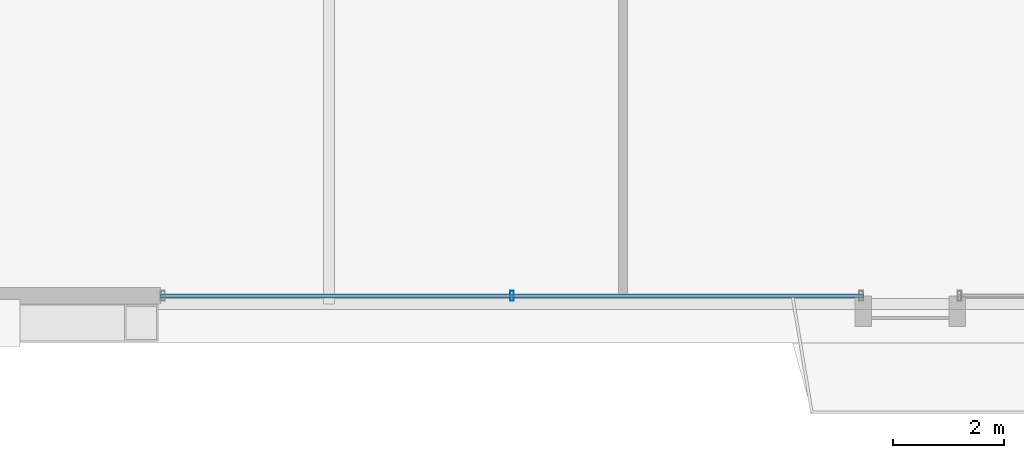
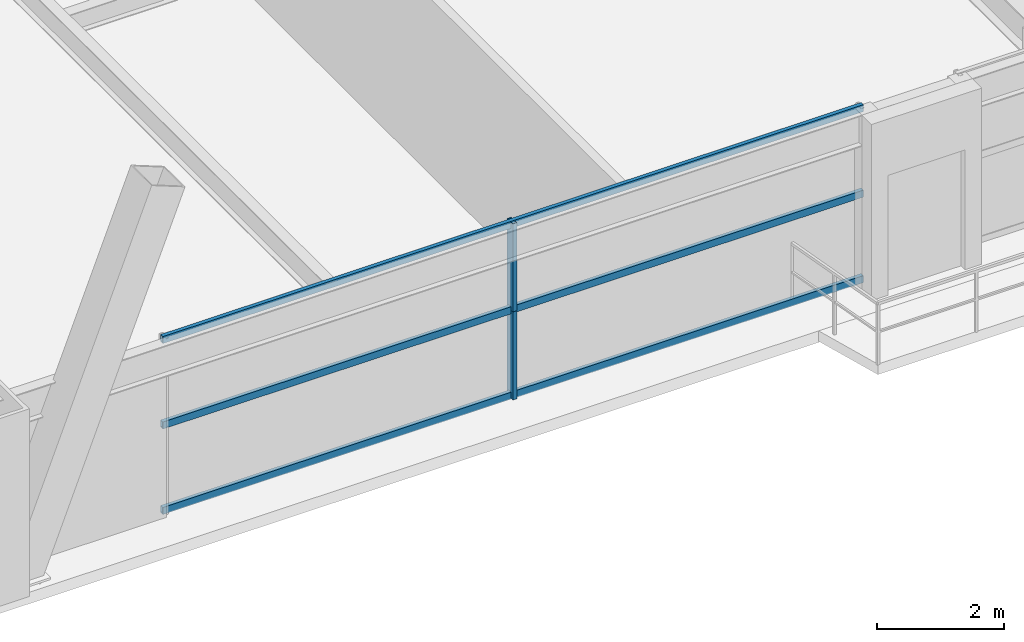
# One storey, part 5 of 43: 5 members, 1 element without a shape of its own.
"""IFC4 building model written with IfcOpenShell, lengths in metres."""

from ifc_helpers import new_model, si_unit, direction, frame, origin, origin_2d, place, context, subcontext, project, spatial, hollow_rectangle, extrude, source, transform, mapped, material, layer, layer_set, material_profile, profile_set, type_object, element, aggregate, save


model = new_model("IFC4")

# Units and contexts
model_context = context("Model", 3, precision=1e-05, world=origin(), true_north=direction((0.0, 1.0)))
body_context = subcontext(model_context, "Body", "Model", "MODEL_VIEW")
ifc_project = project(units=[si_unit("LENGTHUNIT", "METRE"), si_unit("AREAUNIT", "SQUARE_METRE"), si_unit("VOLUMEUNIT", "CUBIC_METRE"), si_unit("PLANEANGLEUNIT", "RADIAN"), si_unit("MASSUNIT", "GRAM", prefix="KILO"), si_unit("THERMODYNAMICTEMPERATUREUNIT", "KELVIN"), si_unit("POWERUNIT", "WATT")], contexts=[model_context])

# Site, building, storey
site_placement = place(None, origin())
site = spatial("IfcSite", under=ifc_project, at=site_placement, CompositionType="ELEMENT")
building_placement = place(site_placement, origin())
building = spatial("IfcBuilding", under=site, at=building_placement, Name="Yuzanri Waterfront Tower", CompositionType="ELEMENT")
storey_placement = place(building_placement, frame((0.0, 0.0, 101.0)))
storey = spatial("IfcBuildingStorey", under=building, at=storey_placement, Name="L26", CompositionType="ELEMENT", Elevation=101.0)

# Curtain wall, members
ifc_material_1 = material(Name="Anodized Architectural Bronze", Category="metal")
ifc_layer = layer(ifc_material_1, 0.159912109375)
ifc_layer_set = layer_set([ifc_layer], Name="Anodized Architectural Bronze")
curtain_wall_type = type_object("IfcCurtainWallType", Name="Anodized Bronze Hotel Upper-Tier Solar-Control Unitized Curtain Wall 7800", PredefinedType="NOTDEFINED", material=ifc_layer_set)
curtain_wall_placement = place(storey_placement, origin())
curtain_wall = element("IfcCurtainWall", 1, at=curtain_wall_placement, inside=storey, type_object=curtain_wall_type, Name="L26 Curtain Wall CW-L26-SL1", PredefinedType="NOTDEFINED")
ifc_material_2 = material(Name="Anodized Architectural Bronze", Category="metal")
ifc_material_profile_1 = material_profile(ifc_material_2, hollow_rectangle(XDim=0.070068359375, YDim=0.179931640625, WallThickness=0.00390625, at=origin_2d()), Name="CWM 70x180")
ifc_profile_set_1 = profile_set([ifc_material_profile_1], Name="Anodized Architectural Bronze")
member_type_1 = type_object("IfcMemberType", Name="Anodized Bronze Standard Curtain-Wall Mullion 70x180", PredefinedType="MULLION", material=ifc_profile_set_1)
shared_shape_1 = source(origin(), body_context, "Body", "SweptSolid", [
    extrude(hollow_rectangle(XDim=0.070068359375, YDim=0.179931640625, WallThickness=0.00390625, at=origin_2d()), origin(), (0.0, 0.0, 1.0), 1.68798828125),
])
member_1_placement = place(storey_placement, frame((27.1083984375, 2.35009765625, 0.0), z_axis=(0.0, 0.0, 1.0), x_axis=(1.0, 0.0, 0.0)))
member_1 = element("IfcMember", 2, at=member_1_placement, type_object=member_type_1, Name="CW-L26-SL1 Lower Mullion 01", PredefinedType="MULLION", context=body_context, shape_type="MappedRepresentation", body=[
    mapped(shared_shape_1, transform((0.0, 0.0, 0.0), scale=1.0)),
])
member_2_placement = place(storey_placement, frame((27.1083984375, 2.35009765625, 1.69189453125), z_axis=(0.0, 0.0, 1.0), x_axis=(1.0, 0.0, 0.0)))
member_2 = element("IfcMember", 3, at=member_2_placement, type_object=member_type_1, Name="CW-L26-SL1 Upper Mullion 01", PredefinedType="MULLION", context=body_context, shape_type="MappedRepresentation", body=[
    mapped(shared_shape_1, transform((0.0, 0.0, 0.0), scale=1.0)),
])
ifc_material_3 = material(Name="Anodized Architectural Bronze", Category="metal")
ifc_material_profile_2 = material_profile(ifc_material_3, hollow_rectangle(XDim=0.070068359375, YDim=0.135009765625, WallThickness=0.00341796875, at=origin_2d()), Name="CWT 70x135")
ifc_profile_set_2 = profile_set([ifc_material_profile_2], Name="Anodized Architectural Bronze")
member_type_2 = type_object("IfcMemberType", Name="Anodized Bronze Standard Curtain-Wall Transom 70x135", PredefinedType="USERDEFINED", material=ifc_profile_set_2)
shared_shape_2 = source(origin(), body_context, "Body", "SweptSolid", [
    extrude(hollow_rectangle(XDim=0.070068359375, YDim=0.135009765625, WallThickness=0.00341796875, at=origin_2d()), origin(), (0.0, 0.0, 1.0), 12.717041015625),
])
member_3_placement = place(storey_placement, frame((20.75, 2.35009765625, 0.050048828125), z_axis=(1.0, 0.0, 0.0), x_axis=(0.0, 1.0, 0.0)))
member_3 = element("IfcMember", 4, at=member_3_placement, type_object=member_type_2, Name="CW-L26-SL1 Transom 1", ObjectType="TRANSOM", PredefinedType="USERDEFINED", context=body_context, shape_type="MappedRepresentation", body=[
    mapped(shared_shape_2, transform((0.0, 0.0, 0.0), scale=1.0)),
])
member_4_placement = place(storey_placement, frame((20.75, 2.35009765625, 1.68994140625), z_axis=(1.0, 0.0, 0.0), x_axis=(0.0, 1.0, 0.0)))
member_4 = element("IfcMember", 5, at=member_4_placement, type_object=member_type_2, Name="CW-L26-SL1 Transom 2", ObjectType="TRANSOM", PredefinedType="USERDEFINED", context=body_context, shape_type="MappedRepresentation", body=[
    mapped(shared_shape_2, transform((0.0, 0.0, 0.0), scale=1.0)),
])
member_5_placement = place(storey_placement, frame((20.75, 2.35009765625, 3.330078125), z_axis=(1.0, 0.0, 0.0), x_axis=(0.0, 1.0, 0.0)))
member_5 = element("IfcMember", 6, at=member_5_placement, type_object=member_type_2, Name="CW-L26-SL1 Transom 3", ObjectType="TRANSOM", PredefinedType="USERDEFINED", context=body_context, shape_type="MappedRepresentation", body=[
    mapped(shared_shape_2, transform((0.0, 0.0, 0.0), scale=1.0)),
])
aggregate(curtain_wall, [member_1, member_2, member_3, member_4, member_5])

save(model, "model.ifc")
